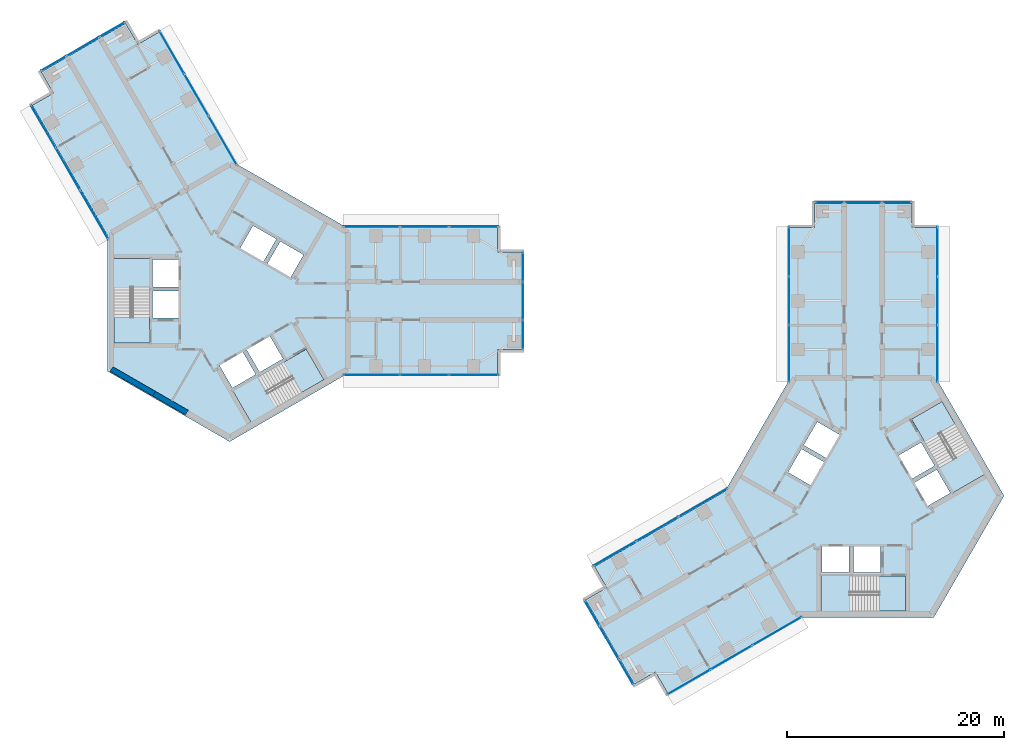
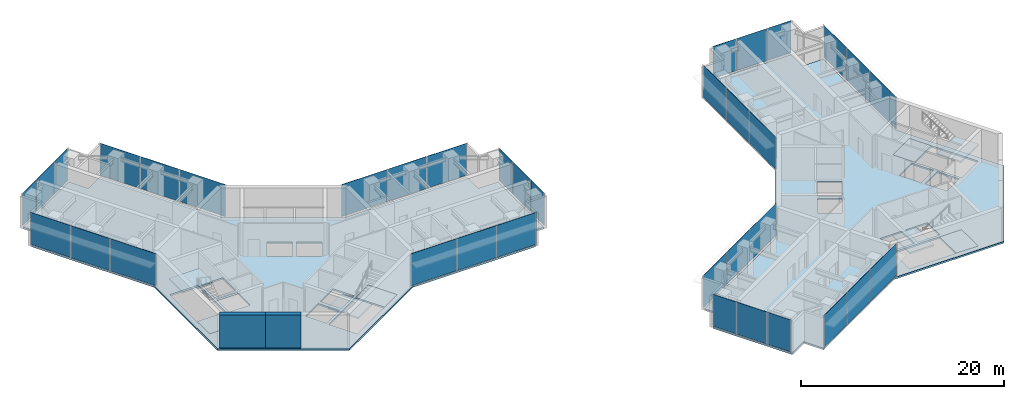
# One storey, part 10 of 17: 36 plates, 10 slabs, 2 walls, 16 elements without a shape of their own.
"""IFC4 building model written with IfcOpenShell, lengths in metres."""

from ifc_helpers import new_model, si_unit, direction, frame, frame_2d, origin, origin_2d, place, context, subcontext, project, spatial, polyline, rectangle, outline, extrude, material, layer, layer_set, type_object, element, aggregate, save


model = new_model("IFC4")

# Units and contexts
model_context = context("Model", 3, precision=1e-05, world=origin(), true_north=direction((0.0, 1.0)))
body_context = subcontext(model_context, "Body", "Model", "MODEL_VIEW")
ifc_project = project(units=[si_unit("LENGTHUNIT", "METRE"), si_unit("AREAUNIT", "SQUARE_METRE"), si_unit("VOLUMEUNIT", "CUBIC_METRE"), si_unit("PLANEANGLEUNIT", "RADIAN"), si_unit("MASSUNIT", "GRAM", prefix="KILO")], contexts=[model_context])

# Site, building, storey
site_placement = place(None, origin())
site = spatial("IfcSite", under=ifc_project, at=site_placement, CompositionType="ELEMENT")
building_placement = place(site_placement, origin())
building = spatial("IfcBuilding", under=site, at=building_placement, Name="Upepo Twin Towers", CompositionType="ELEMENT")
storey_placement = place(building_placement, frame((0.0, 0.0, 182.5)))
storey = spatial("IfcBuildingStorey", under=building, at=storey_placement, Name="L44", CompositionType="ELEMENT", Elevation=182.5)

# Curtain wall, plates
ifc_material_1 = material(Name="Aluminium and fritted glass", Category="aluminium")
curtain_wall_type = type_object("IfcCurtainWallType", Name="Tower curtain wall TW3, fritted glass", PredefinedType="NOTDEFINED", material=ifc_material_1)
curtain_wall_1_placement = place(storey_placement, origin())
curtain_wall_1 = element("IfcCurtainWall", 1, at=curtain_wall_1_placement, inside=storey, type_object=curtain_wall_type, Name="T1 L44 wing A flank L curtain wall", PredefinedType="NOTDEFINED")
ifc_material_2 = material(Name="Ceramic-fritted laminated glass", Category="glass")
ifc_layer_1 = layer(ifc_material_2, 0.031982421875)
ifc_layer_set_1 = layer_set([ifc_layer_1], Name="Fritted glass panel, 50 per cent dot frit, 32 mm double glazed")
plate_type_1 = type_object("IfcPlateType", Name="Fritted glass panel, 50 per cent dot frit, 32 mm double glazed", PredefinedType="CURTAIN_PANEL", material=ifc_layer_set_1)
plate_1_placement = place(storey_placement, frame((13.134765625, 6.85009765625, 0.14990234375), z_axis=(0.0, 0.0, 1.0), x_axis=(1.0, 0.0, 0.0)))
plate_1 = element("IfcPlate", 2, at=plate_1_placement, type_object=plate_type_1, Name="T1 L44 wing A flank L curtain wall panel 1", PredefinedType="CURTAIN_PANEL", context=body_context, shape_type="SweptSolid", body=[
    extrude(rectangle(XDim=5.165283203125, YDim=0.031982421875, at=origin_2d()), origin(), (0.0, 0.0, 1.0), 3.85009765625),
])
plate_2_placement = place(storey_placement, frame((18.0, 6.85009765625, 0.14990234375), z_axis=(0.0, 0.0, 1.0), x_axis=(1.0, 0.0, 0.0)))
plate_2 = element("IfcPlate", 3, at=plate_2_placement, type_object=plate_type_1, Name="T1 L44 wing A flank L curtain wall panel 2", PredefinedType="CURTAIN_PANEL", context=body_context, shape_type="SweptSolid", body=[
    extrude(rectangle(XDim=4.43505859375, YDim=0.031982421875, at=origin_2d()), origin(), (0.0, 0.0, 1.0), 3.85009765625),
])
plate_3_placement = place(storey_placement, frame((22.53369140625, 6.85009765625, 0.14990234375), z_axis=(0.0, 0.0, 1.0), x_axis=(1.0, 0.0, 0.0)))
plate_3 = element("IfcPlate", 4, at=plate_3_placement, type_object=plate_type_1, Name="T1 L44 wing A flank L curtain wall panel 3", PredefinedType="CURTAIN_PANEL", context=body_context, shape_type="SweptSolid", body=[
    extrude(rectangle(XDim=4.50244140625, YDim=0.031982421875, at=origin_2d()), origin(), (0.0, 0.0, 1.0), 3.85009765625),
])
aggregate(curtain_wall_1, [plate_1, plate_2, plate_3])

curtain_wall_2_placement = place(storey_placement, origin())
curtain_wall_2 = element("IfcCurtainWall", 5, at=curtain_wall_2_placement, inside=storey, type_object=curtain_wall_type, Name="T1 L44 wing A flank R curtain wall", PredefinedType="NOTDEFINED")
plate_4_placement = place(storey_placement, frame((22.53369140625, -6.85009765625, 0.14990234375), z_axis=(0.0, 0.0, 1.0), x_axis=(-1.0, 0.0, 0.0)))
plate_4 = element("IfcPlate", 6, at=plate_4_placement, type_object=plate_type_1, Name="T1 L44 wing A flank R curtain wall panel 1", PredefinedType="CURTAIN_PANEL", context=body_context, shape_type="SweptSolid", body=[
    extrude(rectangle(XDim=4.50244140625, YDim=0.031982421875, at=origin_2d()), origin(), (0.0, 0.0, 1.0), 3.85009765625),
])
plate_5_placement = place(storey_placement, frame((18.0, -6.85009765625, 0.14990234375), z_axis=(0.0, 0.0, 1.0), x_axis=(-1.0, 0.0, 0.0)))
plate_5 = element("IfcPlate", 7, at=plate_5_placement, type_object=plate_type_1, Name="T1 L44 wing A flank R curtain wall panel 2", PredefinedType="CURTAIN_PANEL", context=body_context, shape_type="SweptSolid", body=[
    extrude(rectangle(XDim=4.43505859375, YDim=0.031982421875, at=origin_2d()), origin(), (0.0, 0.0, 1.0), 3.85009765625),
])
plate_6_placement = place(storey_placement, frame((13.134765625, -6.85009765625, 0.14990234375), z_axis=(0.0, 0.0, 1.0), x_axis=(-1.0, 0.0, 0.0)))
plate_6 = element("IfcPlate", 8, at=plate_6_placement, type_object=plate_type_1, Name="T1 L44 wing A flank R curtain wall panel 3", PredefinedType="CURTAIN_PANEL", context=body_context, shape_type="SweptSolid", body=[
    extrude(rectangle(XDim=5.165283203125, YDim=0.031982421875, at=origin_2d()), origin(), (0.0, 0.0, 1.0), 3.85009765625),
])
aggregate(curtain_wall_2, [plate_4, plate_5, plate_6])

# Curtain wall, plate
curtain_wall_3_placement = place(storey_placement, origin())
curtain_wall_3 = element("IfcCurtainWall", 9, at=curtain_wall_3_placement, inside=storey, type_object=curtain_wall_type, Name="T1 L44 wing A nose curtain wall", PredefinedType="NOTDEFINED")
plate_7_placement = place(storey_placement, frame((27.10009765625, 0.0, 0.14990234375), z_axis=(0.0, 0.0, 1.0), x_axis=(0.0, 1.0, 0.0)))
plate_7 = element("IfcPlate", 10, at=plate_7_placement, type_object=plate_type_1, Name="T1 L44 wing A nose curtain wall panel 2", PredefinedType="CURTAIN_PANEL", context=body_context, shape_type="SweptSolid", body=[
    extrude(rectangle(XDim=3.43505859375, YDim=0.031982421875, at=origin_2d()), origin(), (0.0, 0.0, 1.0), 3.85009765625),
])

# Curtain wall, plates
curtain_wall_4_placement = place(storey_placement, origin())
curtain_wall_4 = element("IfcCurtainWall", 11, at=curtain_wall_4_placement, inside=storey, type_object=curtain_wall_type, Name="T1 L44 wing B flank L curtain wall", PredefinedType="NOTDEFINED")
plate_8_placement = place(storey_placement, frame((-12.499755859375, 7.9501953125, 0.14990234375), z_axis=(0.0, 0.0, 1.0), x_axis=(-0.500000026527, 0.866025388469, 0.0)))
plate_8 = element("IfcPlate", 12, at=plate_8_placement, type_object=plate_type_1, Name="T1 L44 wing B flank L curtain wall panel 1", PredefinedType="CURTAIN_PANEL", context=body_context, shape_type="SweptSolid", body=[
    extrude(rectangle(XDim=5.165283203125, YDim=0.031982421875, at=origin_2d()), origin(), (0.0, 0.0, 1.0), 3.85009765625),
])
plate_9_placement = place(storey_placement, frame((-14.932373046875, 12.16357421875, 0.14990234375), z_axis=(0.0, 0.0, 1.0), x_axis=(-0.500000026527, 0.866025388469, 0.0)))
plate_9 = element("IfcPlate", 13, at=plate_9_placement, type_object=plate_type_1, Name="T1 L44 wing B flank L curtain wall panel 2", PredefinedType="CURTAIN_PANEL", context=body_context, shape_type="SweptSolid", body=[
    extrude(rectangle(XDim=4.43505859375, YDim=0.031982421875, at=origin_2d()), origin(), (0.0, 0.0, 1.0), 3.85009765625),
])
plate_10_placement = place(storey_placement, frame((-17.19921875, 16.08984375, 0.14990234375), z_axis=(0.0, 0.0, 1.0), x_axis=(-0.500000026527, 0.866025388469, 0.0)))
plate_10 = element("IfcPlate", 14, at=plate_10_placement, type_object=plate_type_1, Name="T1 L44 wing B flank L curtain wall panel 3", PredefinedType="CURTAIN_PANEL", context=body_context, shape_type="SweptSolid", body=[
    extrude(rectangle(XDim=4.50244140625, YDim=0.031982421875, at=origin_2d()), origin(), (0.0, 0.0, 1.0), 3.85009765625),
])
aggregate(curtain_wall_4, [plate_8, plate_9, plate_10])

curtain_wall_5_placement = place(storey_placement, origin())
curtain_wall_5 = element("IfcCurtainWall", 15, at=curtain_wall_5_placement, inside=storey, type_object=curtain_wall_type, Name="T1 L44 wing B flank R curtain wall", PredefinedType="NOTDEFINED")
plate_11_placement = place(storey_placement, frame((-5.334716796875, 22.939697265625, 0.14990234375), z_axis=(0.0, 0.0, 1.0), x_axis=(0.500000026527, -0.866025388469, 0.0)))
plate_11 = element("IfcPlate", 16, at=plate_11_placement, type_object=plate_type_1, Name="T1 L44 wing B flank R curtain wall panel 1", PredefinedType="CURTAIN_PANEL", context=body_context, shape_type="SweptSolid", body=[
    extrude(rectangle(XDim=4.50244140625, YDim=0.031982421875, at=origin_2d()), origin(), (0.0, 0.0, 1.0), 3.85009765625),
])
plate_12_placement = place(storey_placement, frame((-3.067626953125, 19.013427734375, 0.14990234375), z_axis=(0.0, 0.0, 1.0), x_axis=(0.500000026527, -0.866025388469, 0.0)))
plate_12 = element("IfcPlate", 17, at=plate_12_placement, type_object=plate_type_1, Name="T1 L44 wing B flank R curtain wall panel 2", PredefinedType="CURTAIN_PANEL", context=body_context, shape_type="SweptSolid", body=[
    extrude(rectangle(XDim=4.43505859375, YDim=0.031982421875, at=origin_2d()), origin(), (0.0, 0.0, 1.0), 3.85009765625),
])
plate_13_placement = place(storey_placement, frame((-0.635009765625, 14.800048828125, 0.14990234375), z_axis=(0.0, 0.0, 1.0), x_axis=(0.500000026527, -0.866025388469, 0.0)))
plate_13 = element("IfcPlate", 18, at=plate_13_placement, type_object=plate_type_1, Name="T1 L44 wing B flank R curtain wall panel 3", PredefinedType="CURTAIN_PANEL", context=body_context, shape_type="SweptSolid", body=[
    extrude(rectangle(XDim=5.165283203125, YDim=0.031982421875, at=origin_2d()), origin(), (0.0, 0.0, 1.0), 3.85009765625),
])
aggregate(curtain_wall_5, [plate_11, plate_12, plate_13])

# Curtain wall, plate
curtain_wall_6_placement = place(storey_placement, origin())
curtain_wall_6 = element("IfcCurtainWall", 19, at=curtain_wall_6_placement, inside=storey, type_object=curtain_wall_type, Name="T1 L44 wing B nose curtain wall", PredefinedType="NOTDEFINED")
plate_14_placement = place(storey_placement, frame((-13.550048828125, 23.46923828125, 0.14990234375), z_axis=(0.0, 0.0, 1.0), x_axis=(-0.866025386174, -0.500000030502, 0.0)))
plate_14 = element("IfcPlate", 20, at=plate_14_placement, type_object=plate_type_1, Name="T1 L44 wing B nose curtain wall panel 2", PredefinedType="CURTAIN_PANEL", context=body_context, shape_type="SweptSolid", body=[
    extrude(rectangle(XDim=3.43505859375, YDim=0.031982421875, at=origin_2d()), origin(), (0.0, 0.0, 1.0), 3.85009765625),
])

# Curtain wall, plates
curtain_wall_7_placement = place(storey_placement, origin())
curtain_wall_7 = element("IfcCurtainWall", 21, at=curtain_wall_7_placement, inside=storey, type_object=curtain_wall_type, Name="T2 L44 wing A flank L curtain wall", PredefinedType="NOTDEFINED")
plate_15_placement = place(storey_placement, frame((51.64990234375, -4.865234375, 0.14990234375), z_axis=(0.0, 0.0, 1.0), x_axis=(0.0, 1.0, 0.0)))
plate_15 = element("IfcPlate", 22, at=plate_15_placement, type_object=plate_type_1, Name="T2 L44 wing A flank L curtain wall panel 1", PredefinedType="CURTAIN_PANEL", context=body_context, shape_type="SweptSolid", body=[
    extrude(rectangle(XDim=5.165283203125, YDim=0.031982421875, at=origin_2d()), origin(), (0.0, 0.0, 1.0), 3.85009765625),
])
plate_16_placement = place(storey_placement, frame((51.64990234375, 0.0, 0.14990234375), z_axis=(0.0, 0.0, 1.0), x_axis=(0.0, 1.0, 0.0)))
plate_16 = element("IfcPlate", 23, at=plate_16_placement, type_object=plate_type_1, Name="T2 L44 wing A flank L curtain wall panel 2", PredefinedType="CURTAIN_PANEL", context=body_context, shape_type="SweptSolid", body=[
    extrude(rectangle(XDim=4.43505859375, YDim=0.031982421875, at=origin_2d()), origin(), (0.0, 0.0, 1.0), 3.85009765625),
])
plate_17_placement = place(storey_placement, frame((51.64990234375, 4.53369140625, 0.14990234375), z_axis=(0.0, 0.0, 1.0), x_axis=(0.0, 1.0, 0.0)))
plate_17 = element("IfcPlate", 24, at=plate_17_placement, type_object=plate_type_1, Name="T2 L44 wing A flank L curtain wall panel 3", PredefinedType="CURTAIN_PANEL", context=body_context, shape_type="SweptSolid", body=[
    extrude(rectangle(XDim=4.50244140625, YDim=0.031982421875, at=origin_2d()), origin(), (0.0, 0.0, 1.0), 3.85009765625),
])
aggregate(curtain_wall_7, [plate_15, plate_16, plate_17])

curtain_wall_8_placement = place(storey_placement, origin())
curtain_wall_8 = element("IfcCurtainWall", 25, at=curtain_wall_8_placement, inside=storey, type_object=curtain_wall_type, Name="T2 L44 wing A flank R curtain wall", PredefinedType="NOTDEFINED")
plate_18_placement = place(storey_placement, frame((65.35009765625, 4.53369140625, 0.14990234375), z_axis=(0.0, 0.0, 1.0), x_axis=(0.0, -1.0, 0.0)))
plate_18 = element("IfcPlate", 26, at=plate_18_placement, type_object=plate_type_1, Name="T2 L44 wing A flank R curtain wall panel 1", PredefinedType="CURTAIN_PANEL", context=body_context, shape_type="SweptSolid", body=[
    extrude(rectangle(XDim=4.50244140625, YDim=0.031982421875, at=origin_2d()), origin(), (0.0, 0.0, 1.0), 3.85009765625),
])
plate_19_placement = place(storey_placement, frame((65.35009765625, 0.0, 0.14990234375), z_axis=(0.0, 0.0, 1.0), x_axis=(0.0, -1.0, 0.0)))
plate_19 = element("IfcPlate", 27, at=plate_19_placement, type_object=plate_type_1, Name="T2 L44 wing A flank R curtain wall panel 2", PredefinedType="CURTAIN_PANEL", context=body_context, shape_type="SweptSolid", body=[
    extrude(rectangle(XDim=4.43505859375, YDim=0.031982421875, at=origin_2d()), origin(), (0.0, 0.0, 1.0), 3.85009765625),
])
plate_20_placement = place(storey_placement, frame((65.35009765625, -4.865234375, 0.14990234375), z_axis=(0.0, 0.0, 1.0), x_axis=(0.0, -1.0, 0.0)))
plate_20 = element("IfcPlate", 28, at=plate_20_placement, type_object=plate_type_1, Name="T2 L44 wing A flank R curtain wall panel 3", PredefinedType="CURTAIN_PANEL", context=body_context, shape_type="SweptSolid", body=[
    extrude(rectangle(XDim=5.165283203125, YDim=0.031982421875, at=origin_2d()), origin(), (0.0, 0.0, 1.0), 3.85009765625),
])
aggregate(curtain_wall_8, [plate_18, plate_19, plate_20])

# Curtain wall, plate
curtain_wall_9_placement = place(storey_placement, origin())
curtain_wall_9 = element("IfcCurtainWall", 29, at=curtain_wall_9_placement, inside=storey, type_object=curtain_wall_type, Name="T2 L44 wing A nose curtain wall", PredefinedType="NOTDEFINED")
plate_21_placement = place(storey_placement, frame((58.5, 9.10009765625, 0.14990234375), z_axis=(0.0, 0.0, 1.0), x_axis=(-1.0, 0.0, 0.0)))
plate_21 = element("IfcPlate", 30, at=plate_21_placement, type_object=plate_type_1, Name="T2 L44 wing A nose curtain wall panel 2", PredefinedType="CURTAIN_PANEL", context=body_context, shape_type="SweptSolid", body=[
    extrude(rectangle(XDim=3.43505859375, YDim=0.031982421875, at=origin_2d()), origin(), (0.0, 0.0, 1.0), 3.85009765625),
])

# Curtain wall, plates
curtain_wall_10_placement = place(storey_placement, origin())
curtain_wall_10 = element("IfcCurtainWall", 31, at=curtain_wall_10_placement, inside=storey, type_object=curtain_wall_type, Name="T2 L44 wing B flank L curtain wall", PredefinedType="NOTDEFINED")
plate_22_placement = place(storey_placement, frame((50.5498046875, -30.499755859375, 0.14990234375), z_axis=(0.0, 0.0, 1.0), x_axis=(-0.866025388469, -0.500000026527, 0.0)))
plate_22 = element("IfcPlate", 32, at=plate_22_placement, type_object=plate_type_1, Name="T2 L44 wing B flank L curtain wall panel 1", PredefinedType="CURTAIN_PANEL", context=body_context, shape_type="SweptSolid", body=[
    extrude(rectangle(XDim=5.165283203125, YDim=0.031982421875, at=origin_2d()), origin(), (0.0, 0.0, 1.0), 3.85009765625),
])
plate_23_placement = place(storey_placement, frame((46.33642578125, -32.932373046875, 0.14990234375), z_axis=(0.0, 0.0, 1.0), x_axis=(-0.866025388469, -0.500000026527, 0.0)))
plate_23 = element("IfcPlate", 33, at=plate_23_placement, type_object=plate_type_1, Name="T2 L44 wing B flank L curtain wall panel 2", PredefinedType="CURTAIN_PANEL", context=body_context, shape_type="SweptSolid", body=[
    extrude(rectangle(XDim=4.43505859375, YDim=0.031982421875, at=origin_2d()), origin(), (0.0, 0.0, 1.0), 3.85009765625),
])
plate_24_placement = place(storey_placement, frame((42.41015625, -35.19921875, 0.14990234375), z_axis=(0.0, 0.0, 1.0), x_axis=(-0.866025388469, -0.500000026527, 0.0)))
plate_24 = element("IfcPlate", 34, at=plate_24_placement, type_object=plate_type_1, Name="T2 L44 wing B flank L curtain wall panel 3", PredefinedType="CURTAIN_PANEL", context=body_context, shape_type="SweptSolid", body=[
    extrude(rectangle(XDim=4.50244140625, YDim=0.031982421875, at=origin_2d()), origin(), (0.0, 0.0, 1.0), 3.85009765625),
])
aggregate(curtain_wall_10, [plate_22, plate_23, plate_24])

curtain_wall_11_placement = place(storey_placement, origin())
curtain_wall_11 = element("IfcCurtainWall", 35, at=curtain_wall_11_placement, inside=storey, type_object=curtain_wall_type, Name="T2 L44 wing B flank R curtain wall", PredefinedType="NOTDEFINED")
plate_25_placement = place(storey_placement, frame((35.560302734375, -23.334716796875, 0.14990234375), z_axis=(0.0, 0.0, 1.0), x_axis=(0.866025388469, 0.500000026527, 0.0)))
plate_25 = element("IfcPlate", 36, at=plate_25_placement, type_object=plate_type_1, Name="T2 L44 wing B flank R curtain wall panel 1", PredefinedType="CURTAIN_PANEL", context=body_context, shape_type="SweptSolid", body=[
    extrude(rectangle(XDim=4.50244140625, YDim=0.031982421875, at=origin_2d()), origin(), (0.0, 0.0, 1.0), 3.85009765625),
])
plate_26_placement = place(storey_placement, frame((39.486572265625, -21.067626953125, 0.14990234375), z_axis=(0.0, 0.0, 1.0), x_axis=(0.866025388469, 0.500000026527, 0.0)))
plate_26 = element("IfcPlate", 37, at=plate_26_placement, type_object=plate_type_1, Name="T2 L44 wing B flank R curtain wall panel 2", PredefinedType="CURTAIN_PANEL", context=body_context, shape_type="SweptSolid", body=[
    extrude(rectangle(XDim=4.43505859375, YDim=0.031982421875, at=origin_2d()), origin(), (0.0, 0.0, 1.0), 3.85009765625),
])
plate_27_placement = place(storey_placement, frame((43.699951171875, -18.635009765625, 0.14990234375), z_axis=(0.0, 0.0, 1.0), x_axis=(0.866025388469, 0.500000026527, 0.0)))
plate_27 = element("IfcPlate", 38, at=plate_27_placement, type_object=plate_type_1, Name="T2 L44 wing B flank R curtain wall panel 3", PredefinedType="CURTAIN_PANEL", context=body_context, shape_type="SweptSolid", body=[
    extrude(rectangle(XDim=5.165283203125, YDim=0.031982421875, at=origin_2d()), origin(), (0.0, 0.0, 1.0), 3.85009765625),
])
aggregate(curtain_wall_11, [plate_25, plate_26, plate_27])

# Curtain wall, plate
curtain_wall_12_placement = place(storey_placement, origin())
curtain_wall_12 = element("IfcCurtainWall", 39, at=curtain_wall_12_placement, inside=storey, type_object=curtain_wall_type, Name="T2 L44 wing B nose curtain wall", PredefinedType="NOTDEFINED")
plate_28_placement = place(storey_placement, frame((35.03076171875, -31.550048828125, 0.14990234375), z_axis=(0.0, 0.0, 1.0), x_axis=(0.500000030502, -0.866025386174, 0.0)))
plate_28 = element("IfcPlate", 40, at=plate_28_placement, type_object=plate_type_1, Name="T2 L44 wing B nose curtain wall panel 2", PredefinedType="CURTAIN_PANEL", context=body_context, shape_type="SweptSolid", body=[
    extrude(rectangle(XDim=3.43505859375, YDim=0.031982421875, at=origin_2d()), origin(), (0.0, 0.0, 1.0), 3.85009765625),
])

# Plate
ifc_material_3 = material(Name="Clear laminated glass in opening sash", Category="glass")
ifc_layer_2 = layer(ifc_material_3, 0.031982421875)
ifc_layer_set_2 = layer_set([ifc_layer_2], Name="Operable glass panel, 32 mm double glazed")
plate_type_2 = type_object("IfcPlateType", Name="Operable glass panel, 32 mm double glazed", PredefinedType="CURTAIN_PANEL", material=ifc_layer_set_2)
plate_29_placement = place(storey_placement, frame((27.10009765625, -3.108642578125, 0.14990234375), z_axis=(0.0, 0.0, 1.0), x_axis=(0.0, 1.0, 0.0)))
plate_29 = element("IfcPlate", 41, at=plate_29_placement, type_object=plate_type_2, Name="T1 L44 wing A nose curtain wall panel 1", PredefinedType="CURTAIN_PANEL", context=body_context, shape_type="SweptSolid", body=[
    extrude(rectangle(XDim=2.652587890625, YDim=0.031982421875, at=origin_2d()), origin(), (0.0, 0.0, 1.0), 3.85009765625),
])

plate_30_placement = place(storey_placement, frame((27.10009765625, 3.108642578125, 0.14990234375), z_axis=(0.0, 0.0, 1.0), x_axis=(0.0, 1.0, 0.0)))
plate_30 = element("IfcPlate", 42, at=plate_30_placement, type_object=plate_type_2, Name="T1 L44 wing A nose curtain wall panel 3", PredefinedType="CURTAIN_PANEL", context=body_context, shape_type="SweptSolid", body=[
    extrude(rectangle(XDim=2.652587890625, YDim=0.031982421875, at=origin_2d()), origin(), (0.0, 0.0, 1.0), 3.85009765625),
])

aggregate(curtain_wall_3, [plate_29, plate_7, plate_30])

plate_31_placement = place(storey_placement, frame((-10.857666015625, 25.023681640625, 0.14990234375), z_axis=(0.0, 0.0, 1.0), x_axis=(-0.866025386174, -0.500000030502, 0.0)))
plate_31 = element("IfcPlate", 43, at=plate_31_placement, type_object=plate_type_2, Name="T1 L44 wing B nose curtain wall panel 1", PredefinedType="CURTAIN_PANEL", context=body_context, shape_type="SweptSolid", body=[
    extrude(rectangle(XDim=2.652587890625, YDim=0.031982421875, at=origin_2d()), origin(), (0.0, 0.0, 1.0), 3.85009765625),
])

plate_32_placement = place(storey_placement, frame((-16.2421875, 21.914794921875, 0.14990234375), z_axis=(0.0, 0.0, 1.0), x_axis=(-0.866025386174, -0.500000030502, 0.0)))
plate_32 = element("IfcPlate", 44, at=plate_32_placement, type_object=plate_type_2, Name="T1 L44 wing B nose curtain wall panel 3", PredefinedType="CURTAIN_PANEL", context=body_context, shape_type="SweptSolid", body=[
    extrude(rectangle(XDim=2.652587890625, YDim=0.031982421875, at=origin_2d()), origin(), (0.0, 0.0, 1.0), 3.85009765625),
])

aggregate(curtain_wall_6, [plate_31, plate_14, plate_32])

plate_33_placement = place(storey_placement, frame((61.608642578125, 9.10009765625, 0.14990234375), z_axis=(0.0, 0.0, 1.0), x_axis=(-1.0, 0.0, 0.0)))
plate_33 = element("IfcPlate", 45, at=plate_33_placement, type_object=plate_type_2, Name="T2 L44 wing A nose curtain wall panel 1", PredefinedType="CURTAIN_PANEL", context=body_context, shape_type="SweptSolid", body=[
    extrude(rectangle(XDim=2.652587890625, YDim=0.031982421875, at=origin_2d()), origin(), (0.0, 0.0, 1.0), 3.85009765625),
])

plate_34_placement = place(storey_placement, frame((55.391357421875, 9.10009765625, 0.14990234375), z_axis=(0.0, 0.0, 1.0), x_axis=(-1.0, 0.0, 0.0)))
plate_34 = element("IfcPlate", 46, at=plate_34_placement, type_object=plate_type_2, Name="T2 L44 wing A nose curtain wall panel 3", PredefinedType="CURTAIN_PANEL", context=body_context, shape_type="SweptSolid", body=[
    extrude(rectangle(XDim=2.652587890625, YDim=0.031982421875, at=origin_2d()), origin(), (0.0, 0.0, 1.0), 3.85009765625),
])

aggregate(curtain_wall_9, [plate_33, plate_21, plate_34])

plate_35_placement = place(storey_placement, frame((33.476318359375, -28.857666015625, 0.14990234375), z_axis=(0.0, 0.0, 1.0), x_axis=(0.500000030502, -0.866025386174, 0.0)))
plate_35 = element("IfcPlate", 47, at=plate_35_placement, type_object=plate_type_2, Name="T2 L44 wing B nose curtain wall panel 1", PredefinedType="CURTAIN_PANEL", context=body_context, shape_type="SweptSolid", body=[
    extrude(rectangle(XDim=2.652587890625, YDim=0.031982421875, at=origin_2d()), origin(), (0.0, 0.0, 1.0), 3.85009765625),
])

plate_36_placement = place(storey_placement, frame((36.585205078125, -34.2421875, 0.14990234375), z_axis=(0.0, 0.0, 1.0), x_axis=(0.500000030502, -0.866025386174, 0.0)))
plate_36 = element("IfcPlate", 48, at=plate_36_placement, type_object=plate_type_2, Name="T2 L44 wing B nose curtain wall panel 3", PredefinedType="CURTAIN_PANEL", context=body_context, shape_type="SweptSolid", body=[
    extrude(rectangle(XDim=2.652587890625, YDim=0.031982421875, at=origin_2d()), origin(), (0.0, 0.0, 1.0), 3.85009765625),
])

aggregate(curtain_wall_12, [plate_35, plate_28, plate_36])

# Stair, slabs
ifc_material_4 = material(Name="Concrete C40/50", Category="concrete")
stair_type = type_object("IfcStairType", Name="Core stair, two flights", PredefinedType="HALF_TURN_STAIR", material=ifc_material_4)
stair_1_placement = place(storey_placement, origin())
stair_1 = element("IfcStair", 49, at=stair_1_placement, inside=storey, type_object=stair_type, Name="T1 stair S1 L44", PredefinedType="HALF_TURN_STAIR")
ifc_material_5 = material(Name="Concrete C40/50", Category="concrete")
ifc_layer_3 = layer(ifc_material_5, 0.199951171875)
ifc_layer_set_3 = layer_set([ifc_layer_3], Name="Concrete C40/50")
slab_type_1 = type_object("IfcSlabType", Name="Stair landing 200 RC", PredefinedType="LANDING", material=ifc_layer_set_3)
slab_1_placement = place(storey_placement, frame((0.0, 0.0, -0.199951171875)))
slab_1 = element("IfcSlab", 50, at=slab_1_placement, type_object=slab_type_1, Name="Stair S1 landing 1", PredefinedType="LANDING", context=body_context, shape_type="SweptSolid", body=[
    extrude(outline(polyline([(-7.39990234375, -1.419921875), (-10.658447265625, -1.419921875), (-10.658447265625, -3.89990234375), (-7.39990234375, -3.89990234375), (-7.39990234375, -1.419921875)])), origin(), (0.0, 0.0, 1.0), 0.199951171875),
])
slab_2_placement = place(storey_placement, frame((0.0, 0.0, 1.800048828125)))
slab_2 = element("IfcSlab", 51, at=slab_2_placement, type_object=slab_type_1, Name="Stair S1 landing 2", PredefinedType="LANDING", context=body_context, shape_type="SweptSolid", body=[
    extrude(outline(polyline([(-7.300048828125, 3.89990234375), (-10.75830078125, 3.89990234375), (-10.75830078125, 1.179931640625), (-7.300048828125, 1.179931640625), (-7.300048828125, 3.89990234375)])), origin(), (0.0, 0.0, 1.0), 0.199951171875),
])
aggregate(stair_1, [slab_1, slab_2])

stair_2_placement = place(storey_placement, origin())
stair_2 = element("IfcStair", 52, at=stair_2_placement, inside=storey, type_object=stair_type, Name="T1 stair S2 L44", PredefinedType="HALF_TURN_STAIR")
slab_3_placement = place(storey_placement, frame((0.0, 0.0, -0.199951171875)))
slab_3 = element("IfcSlab", 53, at=slab_3_placement, type_object=slab_type_1, Name="Stair S2 landing 1", PredefinedType="LANDING", context=body_context, shape_type="SweptSolid", body=[
    extrude(outline(polyline([(4.9296875, -5.698486328125), (6.558837890625, -8.520263671875), (8.70654296875, -7.2802734375), (7.077392578125, -4.45849609375), (4.9296875, -5.698486328125)])), origin(), (0.0, 0.0, 1.0), 0.199951171875),
])
slab_4_placement = place(storey_placement, frame((0.0, 0.0, 1.800048828125)))
slab_4 = element("IfcSlab", 54, at=slab_4_placement, type_object=slab_type_1, Name="Stair S2 landing 2", PredefinedType="LANDING", context=body_context, shape_type="SweptSolid", body=[
    extrude(outline(polyline([(0.2724609375, -8.27197265625), (2.001708984375, -11.26708984375), (4.357177734375, -9.906982421875), (2.628173828125, -6.911865234375), (0.2724609375, -8.27197265625)])), origin(), (0.0, 0.0, 1.0), 0.199951171875),
])
aggregate(stair_2, [slab_3, slab_4])

stair_3_placement = place(storey_placement, origin())
stair_3 = element("IfcStair", 55, at=stair_3_placement, inside=storey, type_object=stair_type, Name="T2 stair S1 L44", PredefinedType="HALF_TURN_STAIR")
slab_5_placement = place(storey_placement, frame((0.0, 0.0, -0.199951171875)))
slab_5 = element("IfcSlab", 56, at=slab_5_placement, type_object=slab_type_1, Name="Stair S1 landing 1", PredefinedType="LANDING", context=body_context, shape_type="SweptSolid", body=[
    extrude(outline(polyline([(59.919921875, -25.39990234375), (59.919921875, -28.658447265625), (62.39990234375, -28.658447265625), (62.39990234375, -25.39990234375), (59.919921875, -25.39990234375)])), origin(), (0.0, 0.0, 1.0), 0.199951171875),
])
slab_6_placement = place(storey_placement, frame((0.0, 0.0, 1.800048828125)))
slab_6 = element("IfcSlab", 57, at=slab_6_placement, type_object=slab_type_1, Name="Stair S1 landing 2", PredefinedType="LANDING", context=body_context, shape_type="SweptSolid", body=[
    extrude(outline(polyline([(54.60009765625, -25.300048828125), (54.60009765625, -28.75830078125), (57.320068359375, -28.75830078125), (57.320068359375, -25.300048828125), (54.60009765625, -25.300048828125)])), origin(), (0.0, 0.0, 1.0), 0.199951171875),
])
aggregate(stair_3, [slab_5, slab_6])

stair_4_placement = place(storey_placement, origin())
stair_4 = element("IfcStair", 58, at=stair_4_placement, inside=storey, type_object=stair_type, Name="T2 stair S2 L44", PredefinedType="HALF_TURN_STAIR")
slab_7_placement = place(storey_placement, frame((0.0, 0.0, -0.199951171875)))
slab_7 = element("IfcSlab", 59, at=slab_7_placement, type_object=slab_type_1, Name="Stair S2 landing 1", PredefinedType="LANDING", context=body_context, shape_type="SweptSolid", body=[
    extrude(outline(polyline([(64.198486328125, -13.0703125), (67.020263671875, -11.441162109375), (65.7802734375, -9.29345703125), (62.95849609375, -10.922607421875), (64.198486328125, -13.0703125)])), origin(), (0.0, 0.0, 1.0), 0.199951171875),
])
slab_8_placement = place(storey_placement, frame((0.0, 0.0, 1.800048828125)))
slab_8 = element("IfcSlab", 60, at=slab_8_placement, type_object=slab_type_1, Name="Stair S2 landing 2", PredefinedType="LANDING", context=body_context, shape_type="SweptSolid", body=[
    extrude(outline(polyline([(66.77197265625, -17.7275390625), (69.76708984375, -15.998291015625), (68.406982421875, -13.642822265625), (65.411865234375, -15.371826171875), (66.77197265625, -17.7275390625)])), origin(), (0.0, 0.0, 1.0), 0.199951171875),
])
aggregate(stair_4, [slab_7, slab_8])

# Slabs
ifc_material_6 = material(Name="Concrete C40/50", Category="concrete")
ifc_layer_4 = layer(ifc_material_6, 0.199951171875)
ifc_layer_set_4 = layer_set([ifc_layer_4], Name="Concrete C40/50")
slab_type_2 = type_object("IfcSlabType", Name="Tower floor slab 200 RC", PredefinedType="FLOOR", material=ifc_layer_set_4)
slab_9_placement = place(storey_placement, frame((0.0, 0.0, -0.199951171875)))
element("IfcSlab", 61, at=slab_9_placement, inside=storey, type_object=slab_type_2, Name="T1 L44 floor slab", PredefinedType="FLOOR", context=body_context, shape_type="SweptSolid", body=[
    extrude(outline(polyline([(10.825439453125, 6.75), (24.75, 6.75), (24.75, 4.5), (27.0, 4.5), (27.0, -4.5), (24.75, -4.5), (24.75, -6.75), (10.825439453125, -6.75), (0.0, -13.0), (-11.25830078125, -6.5), (-11.25830078125, 6.0), (-18.220703125, 18.05908203125), (-16.272216796875, 19.18408203125), (-17.397216796875, 21.132568359375), (-9.602783203125, 25.632568359375), (-8.477783203125, 23.68408203125), (-6.529296875, 24.80908203125), (0.43310546875, 12.75), (10.825439453125, 6.75)]), holes=[polyline([(5.640869140625, 2.17041015625), (6.8408203125, 4.248779296875), (4.67578125, 5.498779296875), (3.475830078125, 3.42041015625), (5.640869140625, 2.17041015625)]), polyline([(3.12939453125, 3.620361328125), (4.329345703125, 5.69873046875), (2.164306640625, 6.94873046875), (0.96435546875, 4.870361328125), (3.12939453125, 3.620361328125)]), polyline([(-4.699951171875, 3.800048828125), (-7.10009765625, 3.800048828125), (-7.10009765625, 1.300048828125), (-4.699951171875, 1.300048828125), (-4.699951171875, 3.800048828125)]), polyline([(-4.699951171875, 0.89990234375), (-7.10009765625, 0.89990234375), (-7.10009765625, -1.60009765625), (-4.699951171875, -1.60009765625), (-4.699951171875, 0.89990234375)]), polyline([(-7.39990234375, 3.89990234375), (-10.658447265625, 3.89990234375), (-10.658447265625, -3.89990234375), (-7.39990234375, -3.89990234375), (-7.39990234375, 3.89990234375)]), polyline([(-0.94091796875, -5.97021484375), (0.259033203125, -8.048828125), (2.424072265625, -6.798828125), (1.22412109375, -4.72021484375), (-0.94091796875, -5.97021484375)]), polyline([(1.570556640625, -4.520263671875), (2.7705078125, -6.598876953125), (4.935546875, -5.348876953125), (3.735595703125, -3.270263671875), (1.570556640625, -4.520263671875)]), polyline([(0.322509765625, -8.358642578125), (1.95166015625, -11.180419921875), (8.70654296875, -7.2802734375), (7.077392578125, -4.45849609375), (0.322509765625, -8.358642578125)])]), origin(), (0.0, 0.0, 1.0), 0.199951171875),
])
slab_10_placement = place(storey_placement, frame((0.0, 0.0, -0.199951171875)))
element("IfcSlab", 62, at=slab_10_placement, inside=storey, type_object=slab_type_2, Name="T2 L44 floor slab", PredefinedType="FLOOR", context=body_context, shape_type="SweptSolid", body=[
    extrude(outline(polyline([(51.75, -7.174560546875), (51.75, 6.75), (54.0, 6.75), (54.0, 9.0), (63.0, 9.0), (63.0, 6.75), (65.25, 6.75), (65.25, -7.174560546875), (71.5, -18.0), (65.0, -29.25830078125), (52.5, -29.25830078125), (40.44091796875, -36.220703125), (39.31591796875, -34.272216796875), (37.367431640625, -35.397216796875), (32.867431640625, -27.602783203125), (34.81591796875, -26.477783203125), (33.69091796875, -24.529296875), (45.75, -17.56689453125), (51.75, -7.174560546875)]), holes=[polyline([(56.32958984375, -12.359130859375), (54.251220703125, -11.1591796875), (53.001220703125, -13.32421875), (55.07958984375, -14.524169921875), (56.32958984375, -12.359130859375)]), polyline([(54.879638671875, -14.87060546875), (52.80126953125, -13.670654296875), (51.55126953125, -15.835693359375), (53.629638671875, -17.03564453125), (54.879638671875, -14.87060546875)]), polyline([(54.699951171875, -22.699951171875), (54.699951171875, -25.10009765625), (57.199951171875, -25.10009765625), (57.199951171875, -22.699951171875), (54.699951171875, -22.699951171875)]), polyline([(57.60009765625, -22.699951171875), (57.60009765625, -25.10009765625), (60.10009765625, -25.10009765625), (60.10009765625, -22.699951171875), (57.60009765625, -22.699951171875)]), polyline([(54.60009765625, -25.39990234375), (54.60009765625, -28.658447265625), (62.39990234375, -28.658447265625), (62.39990234375, -25.39990234375), (54.60009765625, -25.39990234375)]), polyline([(64.47021484375, -18.94091796875), (66.548828125, -17.740966796875), (65.298828125, -15.575927734375), (63.22021484375, -16.77587890625), (64.47021484375, -18.94091796875)]), polyline([(63.020263671875, -16.429443359375), (65.098876953125, -15.2294921875), (63.848876953125, -13.064453125), (61.770263671875, -14.264404296875), (63.020263671875, -16.429443359375)]), polyline([(66.858642578125, -17.677490234375), (69.680419921875, -16.04833984375), (65.7802734375, -9.29345703125), (62.95849609375, -10.922607421875), (66.858642578125, -17.677490234375)])]), origin(), (0.0, 0.0, 1.0), 0.199951171875),
])

# Walls
ifc_material_7 = material(Name="Concrete C60/75", Category="concrete")
ifc_layer_5 = layer(ifc_material_7, 0.5)
ifc_layer_set_5 = layer_set([ifc_layer_5], Name="Concrete C60/75")
wall_type = type_object("IfcWallType", Name="Core wall 500 RC", PredefinedType="SHEAR", material=ifc_layer_set_5)
wall_1_placement = place(storey_placement, frame((-10.908447265625, -6.2978515625, 0.0), z_axis=(0.0, 0.0, 1.0), x_axis=(0.866034513004, -0.499984222037, 0.0)))
element("IfcWall", 63, at=wall_1_placement, inside=storey, type_object=wall_type, Name="T1 core wall 240 R", PredefinedType="SHEAR", context=body_context, shape_type="SweptSolid", body=[
    extrude(rectangle(XDim=4.548095703125, YDim=0.5, at=frame_2d((2.27392578125, 0.0))), origin(), (0.0, 0.0, 1.0), 4.0),
])
wall_2_placement = place(storey_placement, frame((-6.9697265625, -8.57177734375, 0.0), z_axis=(0.0, 0.0, 1.0), x_axis=(0.866019471182, -0.500010275428, 0.0)))
element("IfcWall", 64, at=wall_2_placement, inside=storey, type_object=wall_type, Name="T1 core wall 240", PredefinedType="SHEAR", context=body_context, shape_type="SweptSolid", body=[
    extrude(rectangle(XDim=3.5, YDim=0.5, at=frame_2d((1.75, 0.0))), origin(), (0.0, 0.0, 1.0), 4.0),
])

save(model, "model.ifc")
